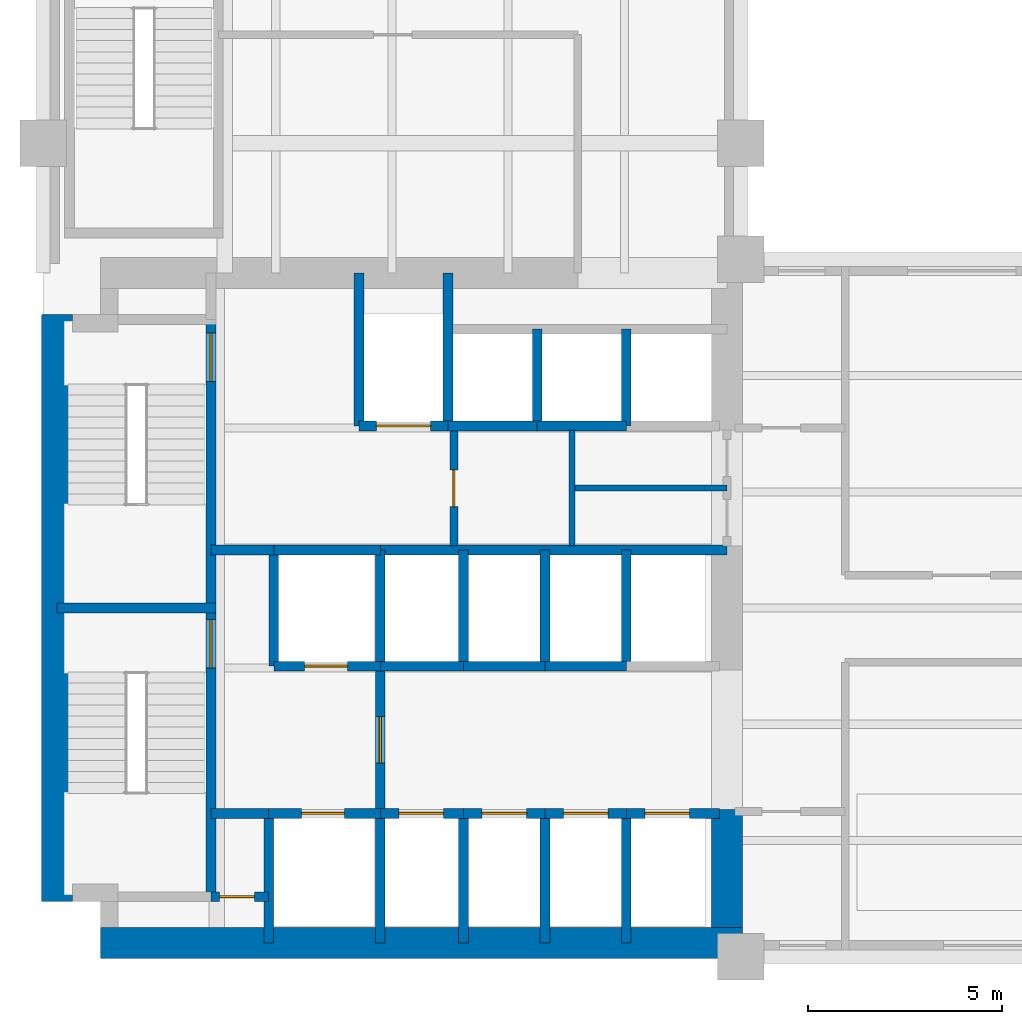
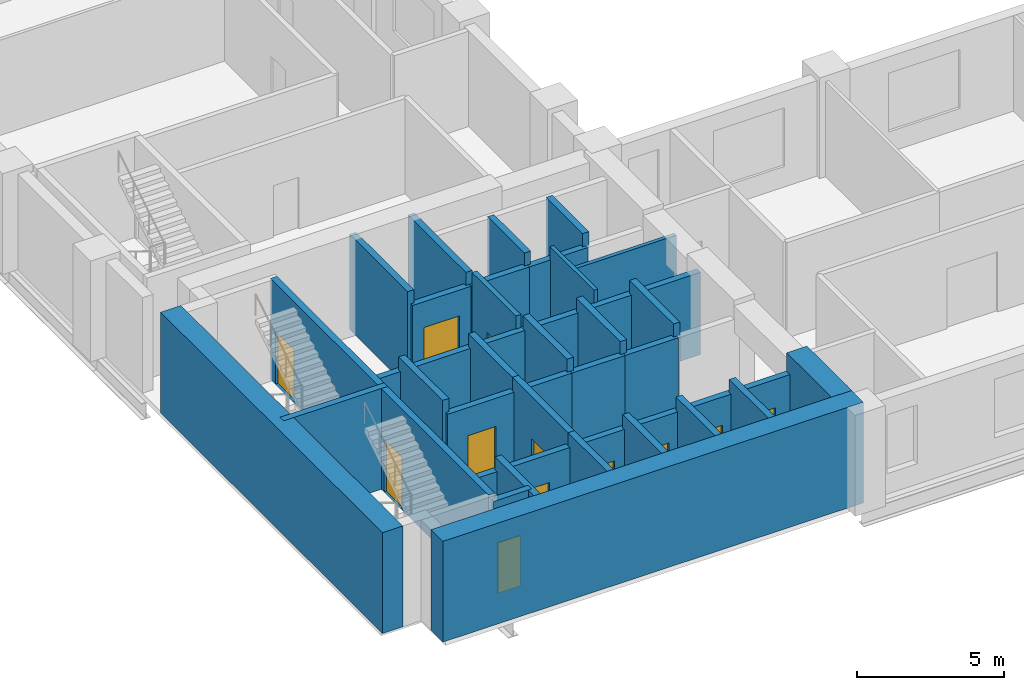
# One storey, part 3 of 7: 41 walls, 12 doors, 12 openings.
"""IFC4 building model written with IfcOpenShell, lengths in metres."""

from ifc_helpers import new_model, si_unit, direction, frame, frame_2d, origin, place, context, subcontext, project, spatial, rectangle, extrude, material, layer, layer_set, type_object, element, fill, save


model = new_model("IFC4")

# Units and contexts
model_context = context("Model", 3, precision=1e-05, world=origin(), true_north=direction((0.0, 1.0)))
body_context = subcontext(model_context, "Body", "Model", "MODEL_VIEW")
ifc_project = project(units=[si_unit("LENGTHUNIT", "METRE"), si_unit("AREAUNIT", "SQUARE_METRE"), si_unit("VOLUMEUNIT", "CUBIC_METRE"), si_unit("PLANEANGLEUNIT", "RADIAN"), si_unit("MASSUNIT", "GRAM", prefix="KILO")], contexts=[model_context])

# Site, building, storey
site_placement = place(None, origin())
site = spatial("IfcSite", under=ifc_project, at=site_placement, CompositionType="ELEMENT")
building_placement = place(site_placement, origin())
building = spatial("IfcBuilding", under=site, at=building_placement, Name="Mawjdan Bourse Tower", CompositionType="ELEMENT")
storey_placement = place(building_placement, frame((0.0, 0.0, 59.39990234375)))
storey = spatial("IfcBuildingStorey", under=building, at=storey_placement, Name="L13", CompositionType="ELEMENT", Elevation=59.39990234375)

# Wall, opening, door
ifc_material_1 = material(Name="Gypsum Fireboard Assembly")
ifc_layer_1 = layer(ifc_material_1, 0.199951171875)
ifc_layer_set_1 = layer_set([ifc_layer_1], Name="Gypsum Fireboard Assembly")
wall_type_1 = type_object("IfcWallType", Name="WL-CMP-200", PredefinedType="PARTITIONING", material=ifc_layer_set_1)
wall_1_placement = place(storey_placement, frame((16.60009765625, 13.60009765625, 0.0), z_axis=(0.0, 0.0, 1.0), x_axis=(0.0, 1.0, 0.0)))
wall_1 = element("IfcWall", 1, at=wall_1_placement, inside=storey, type_object=wall_type_1, Name="L13 Core Restroom West Wall", PredefinedType="PARTITIONING", context=body_context, shape_type="SweptSolid", body=[
    extrude(rectangle(XDim=3.0, YDim=0.199951171875, at=frame_2d((1.5, 0.0))), origin(), (0.0, 0.0, 1.0), 3.97021484375),
])
opening_1_placement = place(wall_1_placement, frame((1.02001953125, 0.0, 0.0)))
opening_1 = element("IfcOpeningElement", 2, at=opening_1_placement, cuts=wall_1, Name="Opening D-L13-14", PredefinedType="OPENING", context=body_context, shape_type="SweptSolid", body=[
    extrude(rectangle(XDim=0.949951171875, YDim=2.10009765625, at=frame_2d((0.47509765625, 1.050048828125))), frame((0.0, 0.10986328125, 0.0), z_axis=(0.0, -1.0, 0.0), x_axis=(1.0, 0.0, 0.0)), (0.0, 0.0, 1.0), 0.219970703125),
])
ifc_material_2 = material(Name="Moisture-Resistant Laminate Timber", Category="wood")
door_type_1 = type_object("IfcDoorType", Name="DR-WET-0950", OperationType="NOTDEFINED", PredefinedType="DOOR", material=ifc_material_2)
door_1_placement = place(opening_1_placement, origin())
door_1 = element("IfcDoor", 3, at=door_1_placement, inside=storey, type_object=door_type_1, Name="L13 Male Restroom Entry Door D-L13-14", OperationType="SINGLE_SWING_RIGHT", OverallHeight=2.10009765625, OverallWidth=0.949951171875, PredefinedType="DOOR", context=body_context, shape_type="SweptSolid", body=[
    extrude(rectangle(XDim=0.949951171875, YDim=2.10009765625, at=frame_2d((0.47509765625, 1.050048828125))), frame((0.0, 0.02490234375, 0.0), z_axis=(0.0, -1.0, 0.0), x_axis=(1.0, 0.0, 0.0)), (0.0, 0.0, 1.0), 0.050048828125),
])
fill(opening_1, door_1)

# Walls
ifc_material_3 = material(Name="Concrete C80/95", Category="concrete")
ifc_layer_2 = layer(ifc_material_3, 0.800048828125)
ifc_layer_set_2 = layer_set([ifc_layer_2], Name="Concrete C80/95")
wall_type_2 = type_object("IfcWallType", Name="WL-CORE-800", PredefinedType="SHEAR", material=ifc_layer_set_2)
wall_2_placement = place(storey_placement, frame((7.47509765625, 3.35009765625, 0.0), z_axis=(0.0, 0.0, 1.0), x_axis=(1.0, 0.0, 0.0)))
element("IfcWall", 4, at=wall_2_placement, inside=storey, type_object=wall_type_2, Name="L13 Rear Core Shear Wall S", PredefinedType="SHEAR", context=body_context, shape_type="SweptSolid", body=[
    extrude(rectangle(XDim=16.574951171875, YDim=0.800048828125, at=frame_2d((8.28759765625, 0.0))), origin(), (0.0, 0.0, 1.0), 4.2001953125),
])
wall_3_placement = place(storey_placement, frame((6.35009765625, 4.425048828125, 0.0), z_axis=(0.0, 0.0, 1.0), x_axis=(0.0, 1.0, 0.0)))
element("IfcWall", 5, at=wall_3_placement, inside=storey, type_object=wall_type_2, Name="L13 Rear Core Shear Wall W", PredefinedType="SHEAR", context=body_context, shape_type="SweptSolid", body=[
    extrude(rectangle(XDim=15.14990234375, YDim=0.800048828125, at=frame_2d((7.574951171875, 0.0))), origin(), (0.0, 0.0, 1.0), 4.2001953125),
])
wall_4_placement = place(storey_placement, frame((23.64990234375, 3.75, 0.0), z_axis=(0.0, 0.0, 1.0), x_axis=(0.0, 1.0, 0.0)))
element("IfcWall", 6, at=wall_4_placement, inside=storey, type_object=wall_type_2, Name="L13 Rear Core Shear Wall E1", PredefinedType="SHEAR", context=body_context, shape_type="SweptSolid", body=[
    extrude(rectangle(XDim=3.050048828125, YDim=0.800048828125, at=frame_2d((1.52490234375, 0.0))), origin(), (0.0, 0.0, 1.0), 4.2001953125),
])
ifc_material_4 = material(Name="Gypsum Acoustic Partition")
ifc_layer_3 = layer(ifc_material_4, 0.14990234375)
ifc_layer_set_3 = layer_set([ifc_layer_3], Name="Gypsum Acoustic Partition")
wall_type_3 = type_object("IfcWallType", Name="WL-PRT-150", PredefinedType="PARTITIONING", material=ifc_layer_set_3)
wall_5_placement = place(storey_placement, frame((19.64990234375, 13.60009765625, 0.0), z_axis=(0.0, 0.0, 1.0), x_axis=(0.0, 1.0, 0.0)))
element("IfcWall", 7, at=wall_5_placement, inside=storey, type_object=wall_type_3, Name="L13 Core Restroom Vertical Split", PredefinedType="PARTITIONING", context=body_context, shape_type="SweptSolid", body=[
    extrude(rectangle(XDim=3.0, YDim=0.14990234375, at=frame_2d((1.5, 0.0))), origin(), (0.0, 0.0, 1.0), 3.97021484375),
])
wall_6_placement = place(storey_placement, frame((19.64990234375, 15.10009765625, 0.0), z_axis=(0.0, 0.0, 1.0), x_axis=(1.0, 0.0, 0.0)))
element("IfcWall", 8, at=wall_6_placement, inside=storey, type_object=wall_type_3, Name="L13 Core Restroom East Horizontal Split", PredefinedType="PARTITIONING", context=body_context, shape_type="SweptSolid", body=[
    extrude(rectangle(XDim=4.0, YDim=0.14990234375, at=frame_2d((2.0, 0.0))), origin(), (0.0, 0.0, 1.0), 3.97021484375),
])

# Wall, opening, door
ifc_material_5 = material(Name="Concrete C50/60", Category="concrete")
ifc_layer_4 = layer(ifc_material_5, 0.25)
ifc_layer_set_4 = layer_set([ifc_layer_4], Name="Concrete C50/60")
wall_type_4 = type_object("IfcWallType", Name="WL-SHFT-250", PredefinedType="PARTITIONING", material=ifc_layer_set_4)
wall_7_placement = place(storey_placement, frame((10.330078125, 4.550048828125, 0.0), z_axis=(0.0, 0.0, 1.0), x_axis=(1.0, 0.0, 0.0)))
wall_7 = element("IfcWall", 9, at=wall_7_placement, inside=storey, type_object=wall_type_4, Name="L13 SW Riser North Wall", PredefinedType="PARTITIONING", context=body_context, shape_type="SweptSolid", body=[
    extrude(rectangle(XDim=1.489990234375, YDim=0.25, at=frame_2d((0.7451171875, 0.0))), origin(), (0.0, 0.0, 1.0), 3.97021484375),
])
opening_2_placement = place(wall_7_placement, frame((0.219970703125, 0.0, 0.0)))
opening_2 = element("IfcOpeningElement", 10, at=opening_2_placement, cuts=wall_7, Name="Opening RD-L13-03", PredefinedType="OPENING", context=body_context, shape_type="SweptSolid", body=[
    extrude(rectangle(XDim=0.89990234375, YDim=2.10009765625, at=frame_2d((0.449951171875, 1.050048828125))), frame((0.0, 0.135009765625, 0.0), z_axis=(0.0, -1.0, 0.0), x_axis=(1.0, 0.0, 0.0)), (0.0, 0.0, 1.0), 0.27001953125),
])
ifc_material_6 = material(Name="Fire-Rated Steel Access Leaf", Category="steel")
door_type_2 = type_object("IfcDoorType", Name="FD-RSR-0900", OperationType="NOTDEFINED", PredefinedType="TRAPDOOR", material=ifc_material_6)
door_2_placement = place(opening_2_placement, origin())
door_2 = element("IfcDoor", 11, at=door_2_placement, inside=storey, type_object=door_type_2, Name="L13 Electrical Riser Access Door RD-L13-03", OperationType="SINGLE_SWING_RIGHT", OverallHeight=2.10009765625, OverallWidth=0.89990234375, PredefinedType="TRAPDOOR", context=body_context, shape_type="SweptSolid", body=[
    extrude(rectangle(XDim=0.89990234375, YDim=2.10009765625, at=frame_2d((0.449951171875, 1.050048828125))), frame((0.0, 0.02490234375, 0.0), z_axis=(0.0, -1.0, 0.0), x_axis=(1.0, 0.0, 0.0)), (0.0, 0.0, 1.0), 0.050048828125),
])
fill(opening_2, door_2)

# Wall
wall_8_placement = place(storey_placement, frame((11.820068359375, 3.35009765625, 0.0), z_axis=(0.0, 0.0, 1.0), x_axis=(0.0, 1.0, 0.0)))
element("IfcWall", 12, at=wall_8_placement, inside=storey, type_object=wall_type_4, Name="L13 SW Riser & FFL01 West Wall", PredefinedType="PARTITIONING", context=body_context, shape_type="SweptSolid", body=[
    extrude(rectangle(XDim=3.349853515625, YDim=0.25, at=frame_2d((1.6748046875, 0.0))), origin(), (0.0, 0.0, 1.0), 3.97021484375),
])

# Wall, opening, door
wall_9_placement = place(storey_placement, frame((11.820068359375, 6.699951171875, 0.0), z_axis=(0.0, 0.0, 1.0), x_axis=(1.0, 0.0, 0.0)))
wall_9 = element("IfcWall", 13, at=wall_9_placement, inside=storey, type_object=wall_type_4, Name="L13 FFL-01 Front Shaft Wall", PredefinedType="PARTITIONING", context=body_context, shape_type="SweptSolid", body=[
    extrude(rectangle(XDim=2.8798828125, YDim=0.25, at=frame_2d((1.43994140625, 0.0))), origin(), (0.0, 0.0, 1.0), 3.426025390625),
])
opening_3_placement = place(wall_9_placement, frame((0.85009765625, 0.0, 0.0)))
opening_3 = element("IfcOpeningElement", 14, at=opening_3_placement, cuts=wall_9, Name="Opening LD-L13-05", PredefinedType="OPENING", context=body_context, shape_type="SweptSolid", body=[
    extrude(rectangle(XDim=1.10009765625, YDim=2.25, at=frame_2d((0.550048828125, 1.125))), frame((0.0, 0.135009765625, 0.0), z_axis=(0.0, -1.0, 0.0), x_axis=(1.0, 0.0, 0.0)), (0.0, 0.0, 1.0), 0.27001953125),
])
ifc_material_7 = material(Name="Brushed Stainless Steel", Category="steel")
door_type_3 = type_object("IfcDoorType", Name="LD-FFL-1100", OperationType="DOUBLE_DOOR_SLIDING", PredefinedType="DOOR", material=ifc_material_7)
door_3_placement = place(opening_3_placement, origin())
door_3 = element("IfcDoor", 15, at=door_3_placement, inside=storey, type_object=door_type_3, Name="L13 Firefighting Lift FFL-01 Landing Door LD-L13-05", OperationType="DOUBLE_DOOR_SLIDING", OverallHeight=2.25, OverallWidth=1.10009765625, PredefinedType="DOOR", context=body_context, shape_type="SweptSolid", body=[
    extrude(rectangle(XDim=1.10009765625, YDim=2.25, at=frame_2d((0.550048828125, 1.125))), frame((0.0, 0.02490234375, 0.0), z_axis=(0.0, -1.0, 0.0), x_axis=(1.0, 0.0, 0.0)), (0.0, 0.0, 1.0), 0.050048828125),
])
fill(opening_3, door_3)

# Wall
wall_10_placement = place(storey_placement, frame((14.699951171875, 3.35009765625, 0.0), z_axis=(0.0, 0.0, 1.0), x_axis=(0.0, 1.0, 0.0)))
element("IfcWall", 16, at=wall_10_placement, inside=storey, type_object=wall_type_4, Name="L13 FFL-01 East Shaft Wall", PredefinedType="PARTITIONING", context=body_context, shape_type="SweptSolid", body=[
    extrude(rectangle(XDim=3.349853515625, YDim=0.25, at=frame_2d((1.6748046875, 0.0))), origin(), (0.0, 0.0, 1.0), 3.97021484375),
])

# Wall, opening, door
wall_11_placement = place(storey_placement, frame((11.949951171875, 10.5, 0.0), z_axis=(0.0, 0.0, 1.0), x_axis=(1.0, 0.0, 0.0)))
wall_11 = element("IfcWall", 17, at=wall_11_placement, inside=storey, type_object=wall_type_4, Name="L13 FFL-02 Front Shaft Wall", PredefinedType="PARTITIONING", context=body_context, shape_type="SweptSolid", body=[
    extrude(rectangle(XDim=2.75, YDim=0.25, at=frame_2d((1.375, 0.0))), origin(), (0.0, 0.0, 1.0), 3.426025390625),
])
opening_4_placement = place(wall_11_placement, frame((0.800048828125, 0.0, 0.0)))
opening_4 = element("IfcOpeningElement", 18, at=opening_4_placement, cuts=wall_11, Name="Opening LD-L13-06", PredefinedType="OPENING", context=body_context, shape_type="SweptSolid", body=[
    extrude(rectangle(XDim=1.10009765625, YDim=2.25, at=frame_2d((0.550048828125, 1.125))), frame((0.0, 0.135009765625, 0.0), z_axis=(0.0, -1.0, 0.0), x_axis=(1.0, 0.0, 0.0)), (0.0, 0.0, 1.0), 0.27001953125),
])
door_4_placement = place(opening_4_placement, origin())
door_4 = element("IfcDoor", 19, at=door_4_placement, inside=storey, type_object=door_type_3, Name="L13 Firefighting Lift FFL-02 Landing Door LD-L13-06", OperationType="DOUBLE_DOOR_SLIDING", OverallHeight=2.25, OverallWidth=1.10009765625, PredefinedType="DOOR", context=body_context, shape_type="SweptSolid", body=[
    extrude(rectangle(XDim=1.10009765625, YDim=2.25, at=frame_2d((0.550048828125, 1.125))), frame((0.0, 0.02490234375, 0.0), z_axis=(0.0, -1.0, 0.0), x_axis=(1.0, 0.0, 0.0)), (0.0, 0.0, 1.0), 0.050048828125),
])
fill(opening_4, door_4)

# Walls
wall_12_placement = place(storey_placement, frame((11.949951171875, 10.5, 0.0), z_axis=(0.0, 0.0, 1.0), x_axis=(0.0, 1.0, 0.0)))
element("IfcWall", 20, at=wall_12_placement, inside=storey, type_object=wall_type_4, Name="L13 FFL-02 West Shaft Wall", PredefinedType="PARTITIONING", context=body_context, shape_type="SweptSolid", body=[
    extrude(rectangle(XDim=3.0, YDim=0.25, at=frame_2d((1.5, 0.0))), origin(), (0.0, 0.0, 1.0), 3.97021484375),
])
wall_13_placement = place(storey_placement, frame((11.949951171875, 13.5, 0.0), z_axis=(0.0, 0.0, 1.0), x_axis=(1.0, 0.0, 0.0)))
element("IfcWall", 21, at=wall_13_placement, inside=storey, type_object=wall_type_4, Name="L13 FFL-02 North Shaft Wall", PredefinedType="PARTITIONING", context=body_context, shape_type="SweptSolid", body=[
    extrude(rectangle(XDim=2.75, YDim=0.25, at=frame_2d((1.375, 0.0))), origin(), (0.0, 0.0, 1.0), 3.426025390625),
])
wall_14_placement = place(storey_placement, frame((14.699951171875, 10.5, 0.0), z_axis=(0.0, 0.0, 1.0), x_axis=(0.0, 1.0, 0.0)))
element("IfcWall", 22, at=wall_14_placement, inside=storey, type_object=wall_type_4, Name="L13 FFL-02 East Shaft Wall", PredefinedType="PARTITIONING", context=body_context, shape_type="SweptSolid", body=[
    extrude(rectangle(XDim=3.0, YDim=0.25, at=frame_2d((1.5, 0.0))), origin(), (0.0, 0.0, 1.0), 3.97021484375),
])

# Wall, opening, door
wall_15_placement = place(storey_placement, frame((14.699951171875, 6.699951171875, 0.0), z_axis=(0.0, 0.0, 1.0), x_axis=(0.0, 1.0, 0.0)))
wall_15 = element("IfcWall", 23, at=wall_15_placement, inside=storey, type_object=wall_type_4, Name="L13 Firefighting Lobby East Compartment Wall", PredefinedType="PARTITIONING", context=body_context, shape_type="SweptSolid", body=[
    extrude(rectangle(XDim=3.800048828125, YDim=0.25, at=frame_2d((1.89990234375, 0.0))), origin(), (0.0, 0.0, 1.0), 3.97021484375),
])
opening_5_placement = place(wall_15_placement, frame((1.300048828125, 0.0, 0.0)))
opening_5 = element("IfcOpeningElement", 24, at=opening_5_placement, cuts=wall_15, Name="Opening FD-L13-07", PredefinedType="OPENING", context=body_context, shape_type="SweptSolid", body=[
    extrude(rectangle(XDim=1.199951171875, YDim=2.199951171875, at=frame_2d((0.60009765625, 1.10009765625))), frame((0.0, 0.135009765625, 0.0), z_axis=(0.0, -1.0, 0.0), x_axis=(1.0, 0.0, 0.0)), (0.0, 0.0, 1.0), 0.27001953125),
])
ifc_material_8 = material(Name="Fire-Rated Steel Leaf", Category="steel")
door_type_4 = type_object("IfcDoorType", Name="FD-FFL-1200", OperationType="NOTDEFINED", PredefinedType="DOOR", material=ifc_material_8)
door_5_placement = place(opening_5_placement, origin())
door_5 = element("IfcDoor", 25, at=door_5_placement, inside=storey, type_object=door_type_4, Name="L13 Firefighting Lobby East Smoke Door FD-L13-07", OperationType="SINGLE_SWING_RIGHT", OverallHeight=2.199951171875, OverallWidth=1.199951171875, PredefinedType="DOOR", context=body_context, shape_type="SweptSolid", body=[
    extrude(rectangle(XDim=1.199951171875, YDim=2.199951171875, at=frame_2d((0.60009765625, 1.10009765625))), frame((0.0, 0.02490234375, 0.0), z_axis=(0.0, -1.0, 0.0), x_axis=(1.0, 0.0, 0.0)), (0.0, 0.0, 1.0), 0.050048828125),
])
fill(opening_5, door_5)

# Walls
wall_16_placement = place(storey_placement, frame((10.330078125, 13.5, 0.0), z_axis=(0.0, 0.0, 1.0), x_axis=(1.0, 0.0, 0.0)))
element("IfcWall", 26, at=wall_16_placement, inside=storey, type_object=wall_type_4, Name="L13 Firefighting Lobby North Compartment Wall", PredefinedType="PARTITIONING", context=body_context, shape_type="SweptSolid", body=[
    extrude(rectangle(XDim=1.619873046875, YDim=0.25, at=frame_2d((0.81005859375, 0.0))), origin(), (0.0, 0.0, 1.0), 3.426025390625),
])
wall_17_placement = place(storey_placement, frame((10.330078125, 6.699951171875, 0.0), z_axis=(0.0, 0.0, 1.0), x_axis=(1.0, 0.0, 0.0)))
element("IfcWall", 27, at=wall_17_placement, inside=storey, type_object=wall_type_4, Name="L13 Firefighting Lobby South Closure Wall", PredefinedType="PARTITIONING", context=body_context, shape_type="SweptSolid", body=[
    extrude(rectangle(XDim=1.489990234375, YDim=0.25, at=frame_2d((0.7451171875, 0.0))), origin(), (0.0, 0.0, 1.0), 3.426025390625),
])

# Wall, opening, door
wall_18_placement = place(storey_placement, frame((14.14990234375, 16.699951171875, 0.0), z_axis=(0.0, 0.0, 1.0), x_axis=(1.0, 0.0, 0.0)))
wall_18 = element("IfcWall", 28, at=wall_18_placement, inside=storey, type_object=wall_type_4, Name="L13 SVL-01 Front Shaft Wall", PredefinedType="PARTITIONING", context=body_context, shape_type="SweptSolid", body=[
    extrude(rectangle(XDim=2.300048828125, YDim=0.25, at=frame_2d((1.14990234375, 0.0))), origin(), (0.0, 0.0, 1.0), 3.426025390625),
])
opening_6_placement = place(wall_18_placement, frame((0.449951171875, 0.0, 0.0)))
opening_6 = element("IfcOpeningElement", 29, at=opening_6_placement, cuts=wall_18, Name="Opening LD-L13-09", PredefinedType="OPENING", context=body_context, shape_type="SweptSolid", body=[
    extrude(rectangle(XDim=1.39990234375, YDim=2.35009765625, at=frame_2d((0.699951171875, 1.175048828125))), frame((0.0, 0.135009765625, 0.0), z_axis=(0.0, -1.0, 0.0), x_axis=(1.0, 0.0, 0.0)), (0.0, 0.0, 1.0), 0.27001953125),
])
ifc_material_9 = material(Name="Heavy-Duty Stainless Steel", Category="steel")
door_type_5 = type_object("IfcDoorType", Name="LD-SRV-1400", OperationType="DOUBLE_DOOR_SLIDING", PredefinedType="DOOR", material=ifc_material_9)
door_6_placement = place(opening_6_placement, origin())
door_6 = element("IfcDoor", 30, at=door_6_placement, inside=storey, type_object=door_type_5, Name="L13 Service Lift SVL-01 Landing Door LD-L13-09", OperationType="DOUBLE_DOOR_SLIDING", OverallHeight=2.35009765625, OverallWidth=1.39990234375, PredefinedType="DOOR", context=body_context, shape_type="SweptSolid", body=[
    extrude(rectangle(XDim=1.39990234375, YDim=2.35009765625, at=frame_2d((0.699951171875, 1.175048828125))), frame((0.0, 0.02490234375, 0.0), z_axis=(0.0, -1.0, 0.0), x_axis=(1.0, 0.0, 0.0)), (0.0, 0.0, 1.0), 0.050048828125),
])
fill(opening_6, door_6)

# Walls
for number, where, z_axis, x_axis, name in (
    (31, (14.14990234375, 16.699951171875, 0.0), (0.0, 0.0, 1.0), (0.0, 1.0, 0.0), "L13 SVL-01 West Shaft Wall"),
    (32, (16.449951171875, 16.699951171875, 0.0), (0.0, 0.0, 1.0), (0.0, 1.0, 0.0), "L13 SVL-01 East Shaft Wall"),
):
    element("IfcWall", number, at=place(storey_placement, frame(where, z_axis=z_axis, x_axis=x_axis)), inside=storey, type_object=wall_type_4, Name=name, PredefinedType="PARTITIONING", context=body_context, shape_type="SweptSolid", body=[
        extrude(rectangle(XDim=3.949951171875, YDim=0.25, at=frame_2d((1.97509765625, 0.0))), origin(), (0.0, 0.0, 1.0), 3.97021484375),
    ])
wall_19_placement = place(storey_placement, frame((16.449951171875, 16.699951171875, 0.0), z_axis=(0.0, 0.0, 1.0), x_axis=(1.0, 0.0, 0.0)))
element("IfcWall", 33, at=wall_19_placement, inside=storey, type_object=wall_type_4, Name="L13 PH-01 Front Wall", PredefinedType="PARTITIONING", context=body_context, shape_type="SweptSolid", body=[
    extrude(rectangle(XDim=2.300048828125, YDim=0.25, at=frame_2d((1.14990234375, 0.0))), origin(), (0.0, 0.0, 1.0), 3.426025390625),
])
wall_20_placement = place(storey_placement, frame((18.75, 16.699951171875, 0.0), z_axis=(0.0, 0.0, 1.0), x_axis=(0.0, 1.0, 0.0)))
element("IfcWall", 34, at=wall_20_placement, inside=storey, type_object=wall_type_4, Name="L13 PH-01 Divider Wall", PredefinedType="PARTITIONING", context=body_context, shape_type="SweptSolid", body=[
    extrude(rectangle(XDim=2.5, YDim=0.25, at=frame_2d((1.25, 0.0))), origin(), (0.0, 0.0, 1.0), 3.97021484375),
])
wall_21_placement = place(storey_placement, frame((18.75, 16.699951171875, 0.0), z_axis=(0.0, 0.0, 1.0), x_axis=(1.0, 0.0, 0.0)))
element("IfcWall", 35, at=wall_21_placement, inside=storey, type_object=wall_type_4, Name="L13 PH-02 Front Wall", PredefinedType="PARTITIONING", context=body_context, shape_type="SweptSolid", body=[
    extrude(rectangle(XDim=2.300048828125, YDim=0.25, at=frame_2d((1.14990234375, 0.0))), origin(), (0.0, 0.0, 1.0), 3.426025390625),
])
wall_22_placement = place(storey_placement, frame((21.050048828125, 16.699951171875, 0.0), z_axis=(0.0, 0.0, 1.0), x_axis=(0.0, 1.0, 0.0)))
element("IfcWall", 36, at=wall_22_placement, inside=storey, type_object=wall_type_4, Name="L13 PH-02 Divider Wall", PredefinedType="PARTITIONING", context=body_context, shape_type="SweptSolid", body=[
    extrude(rectangle(XDim=2.5, YDim=0.25, at=frame_2d((1.25, 0.0))), origin(), (0.0, 0.0, 1.0), 3.97021484375),
])

# Wall, opening, door
wall_23_placement = place(storey_placement, frame((14.699951171875, 6.699951171875, 0.0), z_axis=(0.0, 0.0, 1.0), x_axis=(1.0, 0.0, 0.0)))
wall_23 = element("IfcWall", 37, at=wall_23_placement, inside=storey, type_object=wall_type_4, Name="L13 PL-04 Front Wall", PredefinedType="PARTITIONING", context=body_context, shape_type="SweptSolid", body=[
    extrude(rectangle(XDim=2.150146484375, YDim=0.25, at=frame_2d((1.0751953125, 0.0))), origin(), (0.0, 0.0, 1.0), 3.426025390625),
])
opening_7_placement = place(wall_23_placement, frame((0.47998046875, 0.0, 0.0)))
opening_7 = element("IfcOpeningElement", 38, at=opening_7_placement, cuts=wall_23, Name="Opening LD-L13-10", PredefinedType="OPENING", context=body_context, shape_type="SweptSolid", body=[
    extrude(rectangle(XDim=1.14990234375, YDim=2.25, at=frame_2d((0.574951171875, 1.125))), frame((0.0, 0.135009765625, 0.0), z_axis=(0.0, -1.0, 0.0), x_axis=(1.0, 0.0, 0.0)), (0.0, 0.0, 1.0), 0.27001953125),
])
door_type_6 = type_object("IfcDoorType", Name="LD-PAS-1150", OperationType="DOUBLE_DOOR_SLIDING", PredefinedType="DOOR", material=ifc_material_7)
door_7_placement = place(opening_7_placement, origin())
door_7 = element("IfcDoor", 39, at=door_7_placement, inside=storey, type_object=door_type_6, Name="L13 Lift PL-04 Landing Door LD-L13-10", OperationType="DOUBLE_DOOR_SLIDING", OverallHeight=2.25, OverallWidth=1.14990234375, PredefinedType="DOOR", context=body_context, shape_type="SweptSolid", body=[
    extrude(rectangle(XDim=1.14990234375, YDim=2.25, at=frame_2d((0.574951171875, 1.125))), frame((0.0, 0.02490234375, 0.0), z_axis=(0.0, -1.0, 0.0), x_axis=(1.0, 0.0, 0.0)), (0.0, 0.0, 1.0), 0.050048828125),
])
fill(opening_7, door_7)

# Wall
wall_24_placement = place(storey_placement, frame((16.85009765625, 3.35009765625, 0.0), z_axis=(0.0, 0.0, 1.0), x_axis=(0.0, 1.0, 0.0)))
element("IfcWall", 40, at=wall_24_placement, inside=storey, type_object=wall_type_4, Name="L13 PL-04 Divider Wall", PredefinedType="PARTITIONING", context=body_context, shape_type="SweptSolid", body=[
    extrude(rectangle(XDim=3.349853515625, YDim=0.25, at=frame_2d((1.6748046875, 0.0))), origin(), (0.0, 0.0, 1.0), 3.97021484375),
])

# Wall, opening, door
wall_25_placement = place(storey_placement, frame((16.85009765625, 6.699951171875, 0.0), z_axis=(0.0, 0.0, 1.0), x_axis=(1.0, 0.0, 0.0)))
wall_25 = element("IfcWall", 41, at=wall_25_placement, inside=storey, type_object=wall_type_4, Name="L13 PL-01 Front Wall", PredefinedType="PARTITIONING", context=body_context, shape_type="SweptSolid", body=[
    extrude(rectangle(XDim=2.099853515625, YDim=0.25, at=frame_2d((1.0498046875, 0.0))), origin(), (0.0, 0.0, 1.0), 3.426025390625),
])
opening_8_placement = place(wall_25_placement, frame((0.47998046875, 0.0, 0.0)))
opening_8 = element("IfcOpeningElement", 42, at=opening_8_placement, cuts=wall_25, Name="Opening LD-L13-11", PredefinedType="OPENING", context=body_context, shape_type="SweptSolid", body=[
    extrude(rectangle(XDim=1.14990234375, YDim=2.25, at=frame_2d((0.574951171875, 1.125))), frame((0.0, 0.135009765625, 0.0), z_axis=(0.0, -1.0, 0.0), x_axis=(1.0, 0.0, 0.0)), (0.0, 0.0, 1.0), 0.27001953125),
])
door_8_placement = place(opening_8_placement, origin())
door_8 = element("IfcDoor", 43, at=door_8_placement, inside=storey, type_object=door_type_6, Name="L13 Lift PL-01 Landing Door LD-L13-11", OperationType="DOUBLE_DOOR_SLIDING", OverallHeight=2.25, OverallWidth=1.14990234375, PredefinedType="DOOR", context=body_context, shape_type="SweptSolid", body=[
    extrude(rectangle(XDim=1.14990234375, YDim=2.25, at=frame_2d((0.574951171875, 1.125))), frame((0.0, 0.02490234375, 0.0), z_axis=(0.0, -1.0, 0.0), x_axis=(1.0, 0.0, 0.0)), (0.0, 0.0, 1.0), 0.050048828125),
])
fill(opening_8, door_8)

# Wall
wall_26_placement = place(storey_placement, frame((18.949951171875, 3.35009765625, 0.0), z_axis=(0.0, 0.0, 1.0), x_axis=(0.0, 1.0, 0.0)))
element("IfcWall", 44, at=wall_26_placement, inside=storey, type_object=wall_type_4, Name="L13 PL-01 Divider Wall", PredefinedType="PARTITIONING", context=body_context, shape_type="SweptSolid", body=[
    extrude(rectangle(XDim=3.349853515625, YDim=0.25, at=frame_2d((1.6748046875, 0.0))), origin(), (0.0, 0.0, 1.0), 3.97021484375),
])

# Wall, opening, door
wall_27_placement = place(storey_placement, frame((18.949951171875, 6.699951171875, 0.0), z_axis=(0.0, 0.0, 1.0), x_axis=(1.0, 0.0, 0.0)))
wall_27 = element("IfcWall", 45, at=wall_27_placement, inside=storey, type_object=wall_type_4, Name="L13 PL-02 Front Wall", PredefinedType="PARTITIONING", context=body_context, shape_type="SweptSolid", body=[
    extrude(rectangle(XDim=2.10009765625, YDim=0.25, at=frame_2d((1.050048828125, 0.0))), origin(), (0.0, 0.0, 1.0), 3.426025390625),
])
opening_9_placement = place(wall_27_placement, frame((0.47998046875, 0.0, 0.0)))
opening_9 = element("IfcOpeningElement", 46, at=opening_9_placement, cuts=wall_27, Name="Opening LD-L13-12", PredefinedType="OPENING", context=body_context, shape_type="SweptSolid", body=[
    extrude(rectangle(XDim=1.14990234375, YDim=2.25, at=frame_2d((0.574951171875, 1.125))), frame((0.0, 0.135009765625, 0.0), z_axis=(0.0, -1.0, 0.0), x_axis=(1.0, 0.0, 0.0)), (0.0, 0.0, 1.0), 0.27001953125),
])
door_9_placement = place(opening_9_placement, origin())
door_9 = element("IfcDoor", 47, at=door_9_placement, inside=storey, type_object=door_type_6, Name="L13 Lift PL-02 Landing Door LD-L13-12", OperationType="DOUBLE_DOOR_SLIDING", OverallHeight=2.25, OverallWidth=1.14990234375, PredefinedType="DOOR", context=body_context, shape_type="SweptSolid", body=[
    extrude(rectangle(XDim=1.14990234375, YDim=2.25, at=frame_2d((0.574951171875, 1.125))), frame((0.0, 0.02490234375, 0.0), z_axis=(0.0, -1.0, 0.0), x_axis=(1.0, 0.0, 0.0)), (0.0, 0.0, 1.0), 0.050048828125),
])
fill(opening_9, door_9)

# Wall
wall_28_placement = place(storey_placement, frame((21.050048828125, 3.35009765625, 0.0), z_axis=(0.0, 0.0, 1.0), x_axis=(0.0, 1.0, 0.0)))
element("IfcWall", 48, at=wall_28_placement, inside=storey, type_object=wall_type_4, Name="L13 PL-02 Divider Wall", PredefinedType="PARTITIONING", context=body_context, shape_type="SweptSolid", body=[
    extrude(rectangle(XDim=3.349853515625, YDim=0.25, at=frame_2d((1.6748046875, 0.0))), origin(), (0.0, 0.0, 1.0), 3.97021484375),
])

# Wall, opening, door
wall_29_placement = place(storey_placement, frame((21.050048828125, 6.699951171875, 0.0), z_axis=(0.0, 0.0, 1.0), x_axis=(1.0, 0.0, 0.0)))
wall_29 = element("IfcWall", 49, at=wall_29_placement, inside=storey, type_object=wall_type_4, Name="L13 PL-03 Front Wall", PredefinedType="PARTITIONING", context=body_context, shape_type="SweptSolid", body=[
    extrude(rectangle(XDim=2.39990234375, YDim=0.25, at=frame_2d((1.199951171875, 0.0))), origin(), (0.0, 0.0, 1.0), 3.426025390625),
])
opening_10_placement = place(wall_29_placement, frame((0.47998046875, 0.0, 0.0)))
opening_10 = element("IfcOpeningElement", 50, at=opening_10_placement, cuts=wall_29, Name="Opening LD-L13-13", PredefinedType="OPENING", context=body_context, shape_type="SweptSolid", body=[
    extrude(rectangle(XDim=1.14990234375, YDim=2.25, at=frame_2d((0.574951171875, 1.125))), frame((0.0, 0.135009765625, 0.0), z_axis=(0.0, -1.0, 0.0), x_axis=(1.0, 0.0, 0.0)), (0.0, 0.0, 1.0), 0.27001953125),
])
door_10_placement = place(opening_10_placement, origin())
door_10 = element("IfcDoor", 51, at=door_10_placement, inside=storey, type_object=door_type_6, Name="L13 Lift PL-03 Landing Door LD-L13-13", OperationType="DOUBLE_DOOR_SLIDING", OverallHeight=2.25, OverallWidth=1.14990234375, PredefinedType="DOOR", context=body_context, shape_type="SweptSolid", body=[
    extrude(rectangle(XDim=1.14990234375, YDim=2.25, at=frame_2d((0.574951171875, 1.125))), frame((0.0, 0.02490234375, 0.0), z_axis=(0.0, -1.0, 0.0), x_axis=(1.0, 0.0, 0.0)), (0.0, 0.0, 1.0), 0.050048828125),
])
fill(opening_10, door_10)

# Walls
wall_30_placement = place(storey_placement, frame((14.699951171875, 10.5, 0.0), z_axis=(0.0, 0.0, 1.0), x_axis=(1.0, 0.0, 0.0)))
element("IfcWall", 52, at=wall_30_placement, inside=storey, type_object=wall_type_4, Name="L13 PM-01 Front Wall", PredefinedType="PARTITIONING", context=body_context, shape_type="SweptSolid", body=[
    extrude(rectangle(XDim=2.150146484375, YDim=0.25, at=frame_2d((1.0751953125, 0.0))), origin(), (0.0, 0.0, 1.0), 3.426025390625),
])
wall_31_placement = place(storey_placement, frame((16.85009765625, 10.5, 0.0), z_axis=(0.0, 0.0, 1.0), x_axis=(0.0, 1.0, 0.0)))
element("IfcWall", 53, at=wall_31_placement, inside=storey, type_object=wall_type_4, Name="L13 PM-01 Divider Wall", PredefinedType="PARTITIONING", context=body_context, shape_type="SweptSolid", body=[
    extrude(rectangle(XDim=3.0, YDim=0.25, at=frame_2d((1.5, 0.0))), origin(), (0.0, 0.0, 1.0), 3.97021484375),
])
wall_32_placement = place(storey_placement, frame((16.85009765625, 10.5, 0.0), z_axis=(0.0, 0.0, 1.0), x_axis=(1.0, 0.0, 0.0)))
element("IfcWall", 54, at=wall_32_placement, inside=storey, type_object=wall_type_4, Name="L13 PM-02 Front Wall", PredefinedType="PARTITIONING", context=body_context, shape_type="SweptSolid", body=[
    extrude(rectangle(XDim=2.099853515625, YDim=0.25, at=frame_2d((1.0498046875, 0.0))), origin(), (0.0, 0.0, 1.0), 3.426025390625),
])
wall_33_placement = place(storey_placement, frame((18.949951171875, 10.5, 0.0), z_axis=(0.0, 0.0, 1.0), x_axis=(0.0, 1.0, 0.0)))
element("IfcWall", 55, at=wall_33_placement, inside=storey, type_object=wall_type_4, Name="L13 PM-02 Divider Wall", PredefinedType="PARTITIONING", context=body_context, shape_type="SweptSolid", body=[
    extrude(rectangle(XDim=3.0, YDim=0.25, at=frame_2d((1.5, 0.0))), origin(), (0.0, 0.0, 1.0), 3.97021484375),
])
wall_34_placement = place(storey_placement, frame((18.949951171875, 10.5, 0.0), z_axis=(0.0, 0.0, 1.0), x_axis=(1.0, 0.0, 0.0)))
element("IfcWall", 56, at=wall_34_placement, inside=storey, type_object=wall_type_4, Name="L13 PM-03 Front Wall", PredefinedType="PARTITIONING", context=body_context, shape_type="SweptSolid", body=[
    extrude(rectangle(XDim=2.10009765625, YDim=0.25, at=frame_2d((1.050048828125, 0.0))), origin(), (0.0, 0.0, 1.0), 3.426025390625),
])
wall_35_placement = place(storey_placement, frame((21.050048828125, 10.5, 0.0), z_axis=(0.0, 0.0, 1.0), x_axis=(0.0, 1.0, 0.0)))
element("IfcWall", 57, at=wall_35_placement, inside=storey, type_object=wall_type_4, Name="L13 PM-03 Divider Wall", PredefinedType="PARTITIONING", context=body_context, shape_type="SweptSolid", body=[
    extrude(rectangle(XDim=3.0, YDim=0.25, at=frame_2d((1.5, 0.0))), origin(), (0.0, 0.0, 1.0), 3.97021484375),
])
wall_36_placement = place(storey_placement, frame((14.699951171875, 13.5, 0.0), z_axis=(0.0, 0.0, 1.0), x_axis=(1.0, 0.0, 0.0)))
element("IfcWall", 58, at=wall_36_placement, inside=storey, type_object=wall_type_4, Name="L13 PM Bank North Shaft Back Wall", PredefinedType="PARTITIONING", context=body_context, shape_type="SweptSolid", body=[
    extrude(rectangle(XDim=8.949951171875, YDim=0.25, at=frame_2d((4.47509765625, 0.0))), origin(), (0.0, 0.0, 1.0), 3.426025390625),
])
ifc_layer_5 = layer(ifc_material_5, 0.25)
ifc_layer_set_5 = layer_set([ifc_layer_5], Name="Concrete C50/60")
wall_type_5 = type_object("IfcWallType", Name="WL-STRW-250", PredefinedType="SHEAR", material=ifc_layer_set_5)
wall_37_placement = place(storey_placement, frame((6.35009765625, 12.0, 0.0), z_axis=(0.0, 0.0, 1.0), x_axis=(1.0, 0.0, 0.0)))
element("IfcWall", 59, at=wall_37_placement, inside=storey, type_object=wall_type_5, Name="L13 Stairwell Dividing Shaft Wall", PredefinedType="SHEAR", context=body_context, shape_type="SweptSolid", body=[
    extrude(rectangle(XDim=4.10498046875, YDim=0.25, at=frame_2d((2.052490234375, 0.0))), origin(), (0.0, 0.0, 1.0), 4.2001953125),
])

# Wall, opening, door
wall_38_placement = place(storey_placement, frame((10.330078125, 4.550048828125, 0.0), z_axis=(0.0, 0.0, 1.0), x_axis=(0.0, 1.0, 0.0)))
wall_38 = element("IfcWall", 60, at=wall_38_placement, inside=storey, type_object=wall_type_5, Name="L13 Stairwell ST1 East Enclosure Wall", PredefinedType="SHEAR", context=body_context, shape_type="SweptSolid", body=[
    extrude(rectangle(XDim=7.449951171875, YDim=0.25, at=frame_2d((3.72509765625, 0.0))), origin(), (0.0, 0.0, 1.0), 4.2001953125),
])
opening_11_placement = place(wall_38_placement, frame((5.89990234375, 0.0, 0.0)))
opening_11 = element("IfcOpeningElement", 61, at=opening_11_placement, cuts=wall_38, Name="Opening SD-L13-01", PredefinedType="OPENING", context=body_context, shape_type="SweptSolid", body=[
    extrude(rectangle(XDim=1.25, YDim=2.199951171875, at=frame_2d((0.625, 1.10009765625))), frame((0.0, 0.135009765625, 0.0), z_axis=(0.0, -1.0, 0.0), x_axis=(1.0, 0.0, 0.0)), (0.0, 0.0, 1.0), 0.27001953125),
])
door_type_7 = type_object("IfcDoorType", Name="FD-ST-1250", OperationType="NOTDEFINED", PredefinedType="DOOR", material=ifc_material_8)
door_11_placement = place(opening_11_placement, origin())
door_11 = element("IfcDoor", 62, at=door_11_placement, inside=storey, type_object=door_type_7, Name="L13 Exit Stair ST1 Fire Door SD-L13-01", OperationType="SINGLE_SWING_RIGHT", OverallHeight=2.199951171875, OverallWidth=1.25, PredefinedType="DOOR", context=body_context, shape_type="SweptSolid", body=[
    extrude(rectangle(XDim=1.25, YDim=2.199951171875, at=frame_2d((0.625, 1.10009765625))), frame((0.0, 0.02490234375, 0.0), z_axis=(0.0, -1.0, 0.0), x_axis=(1.0, 0.0, 0.0)), (0.0, 0.0, 1.0), 0.050048828125),
])
fill(opening_11, door_11)

wall_39_placement = place(storey_placement, frame((10.330078125, 12.0, 0.0), z_axis=(0.0, 0.0, 1.0), x_axis=(0.0, 1.0, 0.0)))
wall_39 = element("IfcWall", 63, at=wall_39_placement, inside=storey, type_object=wall_type_5, Name="L13 Stairwell ST2 East Enclosure Wall", PredefinedType="SHEAR", context=body_context, shape_type="SweptSolid", body=[
    extrude(rectangle(XDim=7.449951171875, YDim=0.25, at=frame_2d((3.72509765625, 0.0))), origin(), (0.0, 0.0, 1.0), 4.2001953125),
])
opening_12_placement = place(wall_39_placement, frame((5.85009765625, 0.0, 0.0)))
opening_12 = element("IfcOpeningElement", 64, at=opening_12_placement, cuts=wall_39, Name="Opening SD-L13-02", PredefinedType="OPENING", context=body_context, shape_type="SweptSolid", body=[
    extrude(rectangle(XDim=1.25, YDim=2.199951171875, at=frame_2d((0.625, 1.10009765625))), frame((0.0, 0.135009765625, 0.0), z_axis=(0.0, -1.0, 0.0), x_axis=(1.0, 0.0, 0.0)), (0.0, 0.0, 1.0), 0.27001953125),
])
door_12_placement = place(opening_12_placement, origin())
door_12 = element("IfcDoor", 65, at=door_12_placement, inside=storey, type_object=door_type_7, Name="L13 Exit Stair ST2 Fire Door SD-L13-02", OperationType="SINGLE_SWING_LEFT", OverallHeight=2.199951171875, OverallWidth=1.25, PredefinedType="DOOR", context=body_context, shape_type="SweptSolid", body=[
    extrude(rectangle(XDim=1.25, YDim=2.199951171875, at=frame_2d((0.625, 1.10009765625))), frame((0.0, 0.02490234375, 0.0), z_axis=(0.0, -1.0, 0.0), x_axis=(1.0, 0.0, 0.0)), (0.0, 0.0, 1.0), 0.050048828125),
])
fill(opening_12, door_12)

save(model, "model.ifc")
